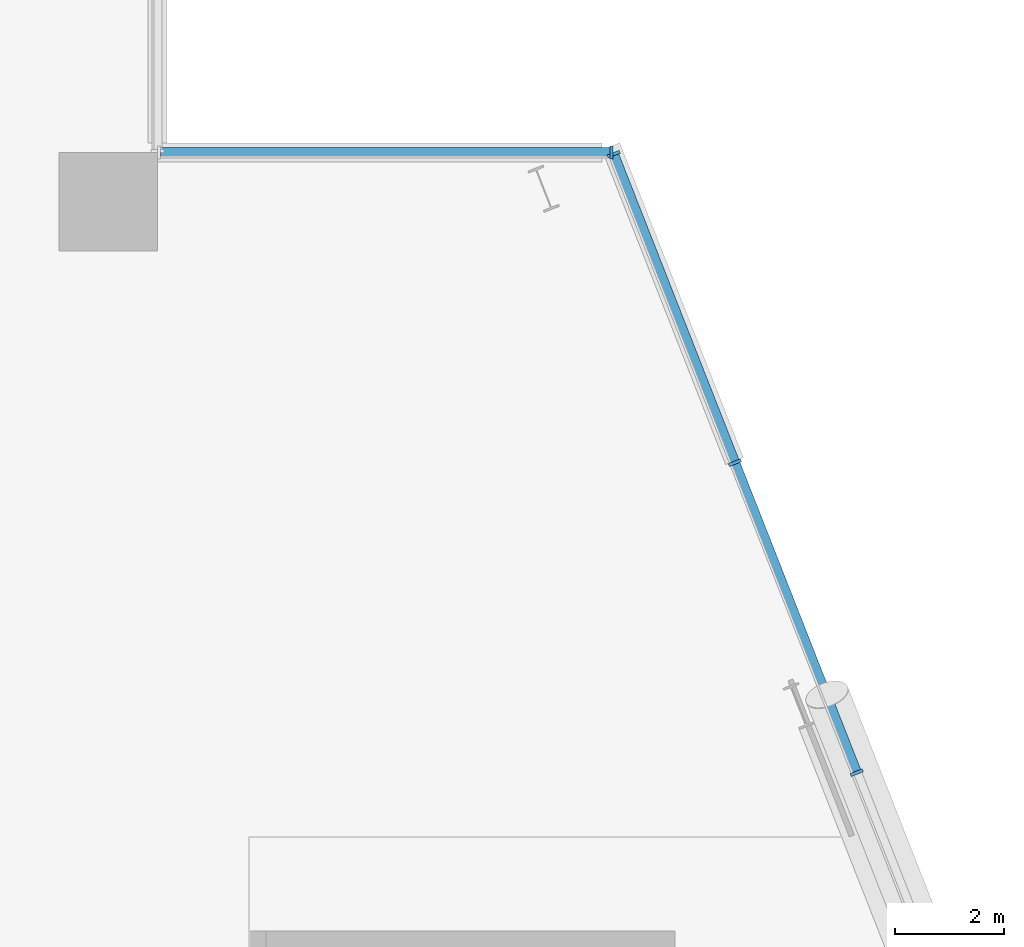
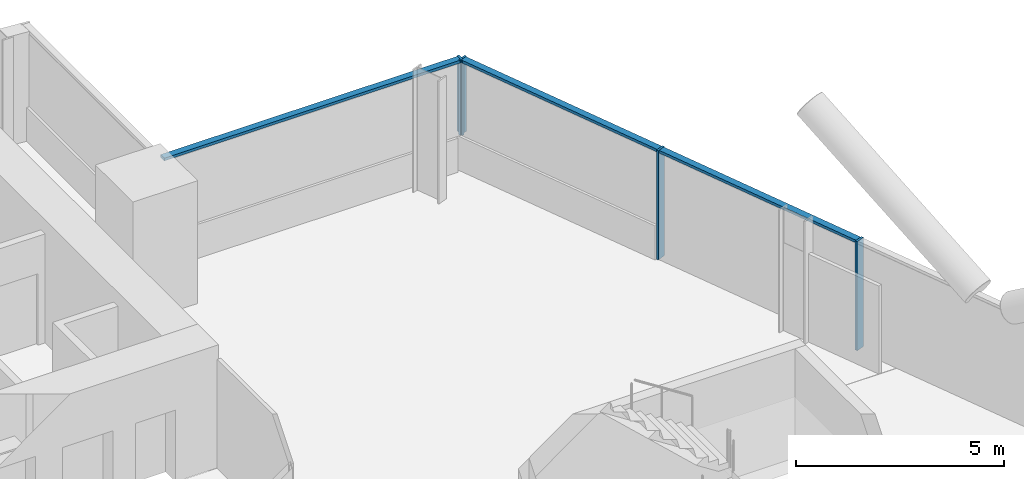
# One storey, part 11 of 28: 7 members, 2 elements without a shape of their own.
"""IFC4 building model written with IfcOpenShell, lengths in metres."""

from ifc_helpers import new_model, si_unit, direction, frame, origin, origin_2d, place, context, subcontext, project, spatial, rectangle, extrude, material, material_profile, profile_set, type_object, element, aggregate, save


model = new_model("IFC4")

# Units and contexts
model_context = context("Model", 3, precision=1e-05, world=origin(), true_north=direction((0.0, 1.0)))
body_context = subcontext(model_context, "Body", "Model", "MODEL_VIEW")
ifc_project = project(units=[si_unit("LENGTHUNIT", "METRE"), si_unit("AREAUNIT", "SQUARE_METRE"), si_unit("VOLUMEUNIT", "CUBIC_METRE"), si_unit("PLANEANGLEUNIT", "RADIAN"), si_unit("MASSUNIT", "GRAM", prefix="KILO")], contexts=[model_context])

# Site, building, storey
site_placement = place(None, origin())
site = spatial("IfcSite", under=ifc_project, at=site_placement, CompositionType="ELEMENT")
building_placement = place(site_placement, origin())
building = spatial("IfcBuilding", under=site, at=building_placement, Name="Wharfspan Tower", CompositionType="ELEMENT")
storey_placement = place(building_placement, frame((0.0, 0.0, 132.699951)))
storey = spatial("IfcBuildingStorey", under=building, at=storey_placement, Name="L31", CompositionType="ELEMENT", Elevation=132.699951)

# Curtain wall, members
ifc_material = material(Name="Aluminium 6063-T6", Category="aluminium")
curtain_wall_type = type_object("IfcCurtainWallType", Name="CURTAIN WALL PROW AND END", PredefinedType="NOTDEFINED", material=ifc_material)
curtain_wall_1_placement = place(storey_placement, origin())
curtain_wall_1 = element("IfcCurtainWall", 1, at=curtain_wall_1_placement, inside=storey, type_object=curtain_wall_type, Name="Curtain wall E", PredefinedType="NOTDEFINED")
ifc_material_profile_1 = material_profile(ifc_material, rectangle(XDim=0.23999, YDim=0.060059, at=origin_2d()))
ifc_profile_set_1 = profile_set([ifc_material_profile_1], Name="Aluminium 6063-T6")
member_type_1 = type_object("IfcMemberType", Name="MULLION PROW AND END 60x240", PredefinedType="MULLION", material=ifc_profile_set_1)
member_1_placement = place(storey_placement, frame((80.827148, 30.628662, 0.0), z_axis=(0.0, 0.0, 1.0), x_axis=(-0.930702, -0.365778, 0.0)))
member_1 = element("IfcMember", 2, at=member_1_placement, type_object=member_type_1, Name="Curtain wall E mullion 6", PredefinedType="MULLION", context=body_context, shape_type="SweptSolid", body=[
    extrude(rectangle(XDim=0.23999, YDim=0.060059, at=origin_2d()), origin(), (0.0, 0.0, 1.0), 3.199951),
])
member_2_placement = place(storey_placement, frame((78.592529, 36.314209, 0.0), z_axis=(0.0, 0.0, 1.0), x_axis=(-0.930702, -0.365778, 0.0)))
member_2 = element("IfcMember", 3, at=member_2_placement, type_object=member_type_1, Name="Curtain wall E mullion 7", PredefinedType="MULLION", context=body_context, shape_type="SweptSolid", body=[
    extrude(rectangle(XDim=0.23999, YDim=0.060059, at=origin_2d()), origin(), (0.0, 0.0, 1.0), 3.199951),
])
member_3_placement = place(storey_placement, frame((76.369141, 41.972168, 1.0), z_axis=(0.0, 0.0, 1.0), x_axis=(-0.930702, -0.365778, 0.0)))
member_3 = element("IfcMember", 4, at=member_3_placement, type_object=member_type_1, Name="Curtain wall E mullion 8", PredefinedType="MULLION", context=body_context, shape_type="SweptSolid", body=[
    extrude(rectangle(XDim=0.23999, YDim=0.060059, at=origin_2d()), origin(), (0.0, 0.0, 1.0), 2.199951),
])

# Curtain wall, member
curtain_wall_2_placement = place(storey_placement, origin())
curtain_wall_2 = element("IfcCurtainWall", 5, at=curtain_wall_2_placement, inside=storey, type_object=curtain_wall_type, Name="Curtain wall NRE-H", PredefinedType="NOTDEFINED")
member_4_placement = place(storey_placement, frame((76.328125, 42.0, 1.0), z_axis=(0.0, 0.0, 1.0), x_axis=(0.0, -1.0, 0.0)))
member_4 = element("IfcMember", 6, at=member_4_placement, type_object=member_type_1, Name="Curtain wall NRE-H mullion 1", PredefinedType="MULLION", context=body_context, shape_type="SweptSolid", body=[
    extrude(rectangle(XDim=0.23999, YDim=0.060059, at=origin_2d()), origin(), (0.0, 0.0, 1.0), 2.199951),
])

# Member
ifc_material_profile_2 = material_profile(ifc_material, rectangle(XDim=0.179932, YDim=0.080078, at=origin_2d()))
ifc_profile_set_2 = profile_set([ifc_material_profile_2], Name="Aluminium 6063-T6")
member_type_2 = type_object("IfcMemberType", Name="TRANSOM PROW AND END 80x180", PredefinedType="USERDEFINED", material=ifc_profile_set_2)
member_5_placement = place(storey_placement, frame((80.816162, 30.656494, 3.160156), z_axis=(-0.365782, 0.9307, 0.0), x_axis=(-0.9307, -0.365782, 0.0)))
member_5 = element("IfcMember", 7, at=member_5_placement, type_object=member_type_2, Name="Curtain wall E transom 6", ObjectType="TRANSOM", PredefinedType="USERDEFINED", context=body_context, shape_type="SweptSolid", body=[
    extrude(rectangle(XDim=0.179932, YDim=0.080078, at=origin_2d()), origin(), (0.0, 0.0, 1.0), 6.049072),
])

member_6_placement = place(storey_placement, frame((78.581787, 36.342285, 3.160156), z_axis=(-0.365789, 0.930698, 0.0), x_axis=(-0.930698, -0.365789, 0.0)))
member_6 = element("IfcMember", 8, at=member_6_placement, type_object=member_type_2, Name="Curtain wall E transom 7", ObjectType="TRANSOM", PredefinedType="USERDEFINED", context=body_context, shape_type="SweptSolid", body=[
    extrude(rectangle(XDim=0.179932, YDim=0.080078, at=origin_2d()), origin(), (0.0, 0.0, 1.0), 6.019043),
])

aggregate(curtain_wall_1, [member_1, member_2, member_3, member_5, member_6])

member_7_placement = place(storey_placement, frame((76.298096, 42.0, 3.160156), z_axis=(-1.0, 0.0, 0.0), x_axis=(0.0, -1.0, 0.0)))
member_7 = element("IfcMember", 9, at=member_7_placement, type_object=member_type_2, Name="Curtain wall NRE-H transom 1", ObjectType="TRANSOM", PredefinedType="USERDEFINED", context=body_context, shape_type="SweptSolid", body=[
    extrude(rectangle(XDim=0.179932, YDim=0.080078, at=origin_2d()), origin(), (0.0, 0.0, 1.0), 8.238037),
])

aggregate(curtain_wall_2, [member_4, member_7])

save(model, "model.ifc")
